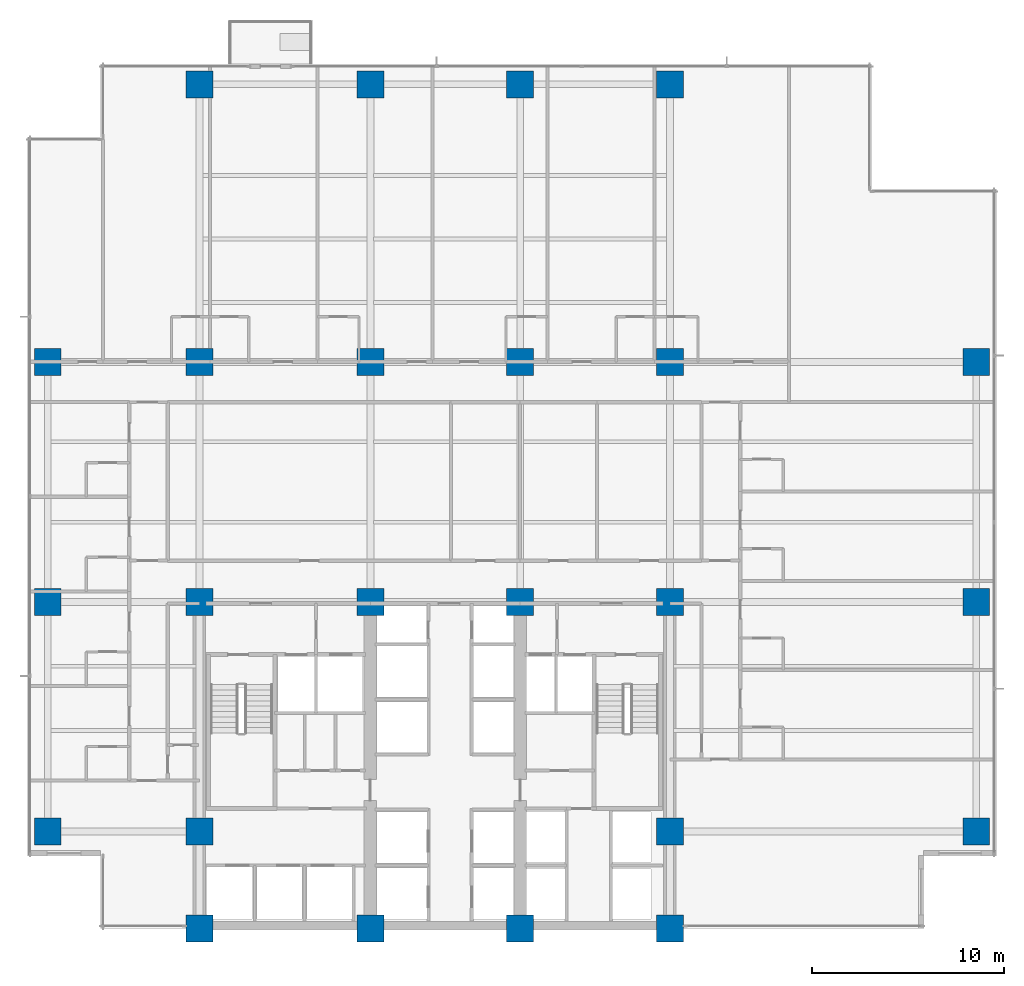
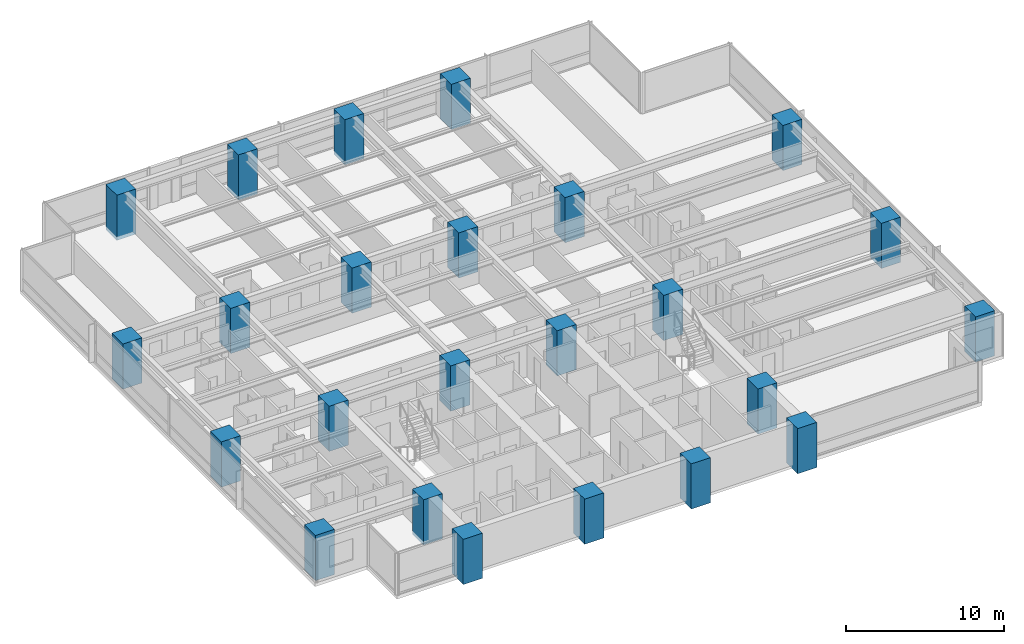
# One storey, part 1 of 16: 24 columns.
"""IFC4 building model written with IfcOpenShell, lengths in metres."""

from ifc_helpers import new_model, si_unit, direction, frame, origin, origin_2d, place, context, subcontext, project, spatial, rectangle, extrude, material, material_profile, profile_set, type_object, element, save


model = new_model("IFC4")

# Units and contexts
model_context = context("Model", 3, precision=1e-05, world=origin(), true_north=direction((0.0, 1.0)))
body_context = subcontext(model_context, "Body", "Model", "MODEL_VIEW")
ifc_project = project(units=[si_unit("LENGTHUNIT", "METRE"), si_unit("AREAUNIT", "SQUARE_METRE"), si_unit("VOLUMEUNIT", "CUBIC_METRE"), si_unit("PLANEANGLEUNIT", "RADIAN"), si_unit("MASSUNIT", "GRAM", prefix="KILO")], contexts=[model_context])

# Site, building, storey
site_placement = place(None, origin())
site = spatial("IfcSite", under=ifc_project, at=site_placement, CompositionType="ELEMENT")
building_placement = place(site_placement, origin())
building = spatial("IfcBuilding", under=site, at=building_placement, Name="Qalmaran Belvedere Hotel", CompositionType="ELEMENT")
storey_placement = place(building_placement, frame((0.0, 0.0, 57.89990234375)))
storey = spatial("IfcBuildingStorey", under=building, at=storey_placement, Name="L14", CompositionType="ELEMENT", Elevation=57.89990234375)

# Columns
ifc_material = material(Name="Concrete C60/75", Category="concrete")
ifc_material_profile = material_profile(ifc_material, rectangle(XDim=1.39990234375, YDim=1.39990234375, at=origin_2d()), Name="CC1400X1400")
ifc_profile_set = profile_set([ifc_material_profile], Name="Concrete C60/75")
column_type = type_object("IfcColumnType", Name="COL-Z1-CC1400", PredefinedType="COLUMN", material=ifc_profile_set)
for number, where, z_axis, x_axis, name in (
    (1, (20.300048828125, 3.5, -0.27978515625), (0.0, 0.0, 1.0), (1.0, 0.0, 0.0), "L14 Column C4B"),
    (2, (29.199951171875, 3.5, -0.27978515625), (0.0, 0.0, 1.0), (1.0, 0.0, 0.0), "L14 Column C5B"),
    (3, (37.0, 3.5, -0.27978515625), (0.0, 0.0, 1.0), (1.0, 0.0, 0.0), "L14 Column C6B"),
    (4, (44.800048828125, 3.5, -0.27978515625), (0.0, 0.0, 1.0), (1.0, 0.0, 0.0), "L14 Column C7B"),
    (5, (20.300048828125, 8.550048828125, -0.27978515625), (0.0, 0.0, 1.0), (1.0, 0.0, 0.0), "L14 Column C4C"),
    (6, (44.800048828125, 8.550048828125, -0.27978515625), (0.0, 0.0, 1.0), (1.0, 0.0, 0.0), "L14 Column C7C"),
    (7, (20.300048828125, 20.5, -0.27978515625), (0.0, 0.0, 1.0), (1.0, 0.0, 0.0), "L14 Column C4D"),
    (8, (29.199951171875, 20.5, -0.27978515625), (0.0, 0.0, 1.0), (1.0, 0.0, 0.0), "L14 Column C5D"),
    (9, (37.0, 20.5, -0.27978515625), (0.0, 0.0, 1.0), (1.0, 0.0, 0.0), "L14 Column C6D"),
    (10, (44.800048828125, 20.5, -0.27978515625), (0.0, 0.0, 1.0), (1.0, 0.0, 0.0), "L14 Column C7D"),
    (11, (20.300048828125, 33.0, -0.27978515625), (0.0, 0.0, 1.0), (1.0, 0.0, 0.0), "L14 Column C4F"),
    (12, (29.199951171875, 33.0, -0.27978515625), (0.0, 0.0, 1.0), (1.0, 0.0, 0.0), "L14 Column C5F"),
    (13, (37.0, 33.0, -0.27978515625), (0.0, 0.0, 1.0), (1.0, 0.0, 0.0), "L14 Column C6F"),
    (14, (44.800048828125, 33.0, -0.27978515625), (0.0, 0.0, 1.0), (1.0, 0.0, 0.0), "L14 Column C7F"),
    (15, (12.39990234375, 8.550048828125, -0.27978515625), (0.0, 0.0, 1.0), (1.0, 0.0, 0.0), "L14 Column CW1"),
    (16, (12.39990234375, 20.5, -0.27978515625), (0.0, 0.0, 1.0), (1.0, 0.0, 0.0), "L14 Column CW3"),
    (17, (12.39990234375, 33.0, -0.27978515625), (0.0, 0.0, 1.0), (1.0, 0.0, 0.0), "L14 Column CW4"),
    (18, (60.75, 8.550048828125, -0.27978515625), (0.0, 0.0, 1.0), (1.0, 0.0, 0.0), "L14 Column CE1"),
    (19, (60.75, 20.5, -0.27978515625), (0.0, 0.0, 1.0), (1.0, 0.0, 0.0), "L14 Column CE3"),
    (20, (60.75, 33.0, -0.27978515625), (0.0, 0.0, 1.0), (1.0, 0.0, 0.0), "L14 Column CE4"),
    (21, (20.300048828125, 47.449951171875, -0.27978515625), (0.0, 0.0, 1.0), (1.0, 0.0, 0.0), "L14 Column CN1"),
    (22, (29.199951171875, 47.449951171875, -0.27978515625), (0.0, 0.0, 1.0), (1.0, 0.0, 0.0), "L14 Column CN2"),
    (23, (37.0, 47.449951171875, -0.27978515625), (0.0, 0.0, 1.0), (1.0, 0.0, 0.0), "L14 Column CN3"),
    (24, (44.800048828125, 47.449951171875, -0.27978515625), (0.0, 0.0, 1.0), (1.0, 0.0, 0.0), "L14 Column CN4"),
):
    element("IfcColumn", number, at=place(storey_placement, frame(where, z_axis=z_axis, x_axis=x_axis)), inside=storey, type_object=column_type, Name=name, PredefinedType="COLUMN", context=body_context, shape_type="SweptSolid", body=[
        extrude(rectangle(XDim=1.39990234375, YDim=1.39990234375, at=origin_2d()), origin(), (0.0, 0.0, 1.0), 3.5),
    ])

save(model, "model.ifc")
